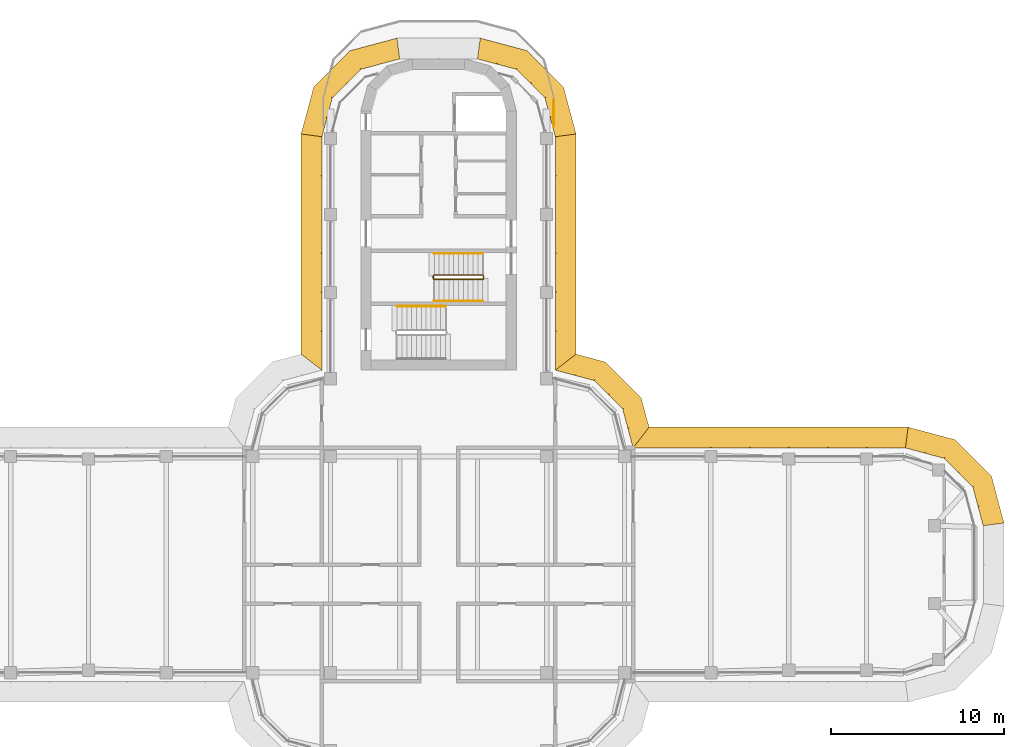
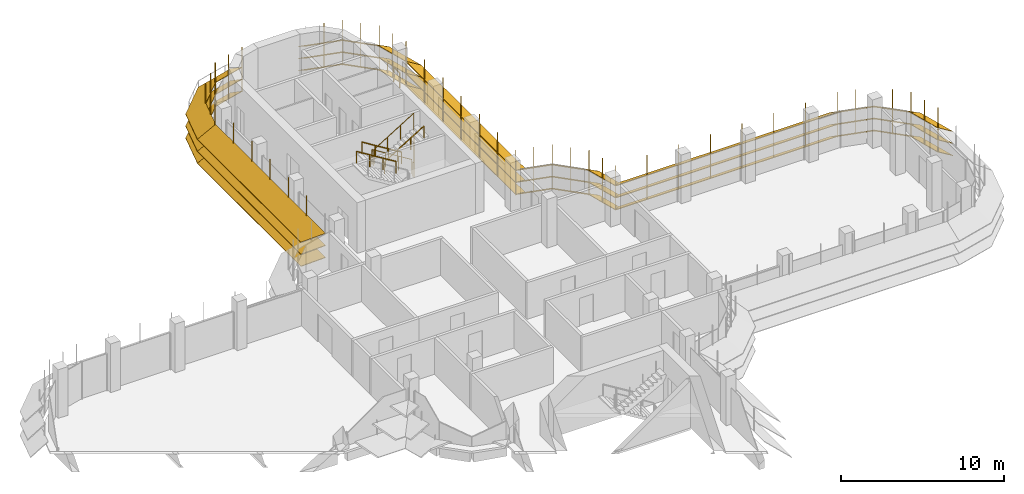
# One storey, part 18 of 19: 7 shading devices, 5 railings.
"""IFC4 building model written with IfcOpenShell, lengths in metres."""

from ifc_helpers import new_model, si_unit, direction, frame, origin, origin_2d, place, context, subcontext, project, spatial, polyline, circle, outline, extrude, faceted_brep, source, transform, mapped, material, type_object, element, save


model = new_model("IFC4")

# Units and contexts
model_context = context("Model", 3, precision=1e-05, world=origin(), true_north=direction((0.0, 1.0)))
body_context = subcontext(model_context, "Body", "Model", "MODEL_VIEW")
ifc_project = project(units=[si_unit("LENGTHUNIT", "METRE"), si_unit("AREAUNIT", "SQUARE_METRE"), si_unit("VOLUMEUNIT", "CUBIC_METRE"), si_unit("PLANEANGLEUNIT", "RADIAN"), si_unit("MASSUNIT", "GRAM", prefix="KILO")], contexts=[model_context])

# Site, building, storey
site_placement = place(None, origin())
site = spatial("IfcSite", under=ifc_project, at=site_placement, CompositionType="ELEMENT")
building_placement = place(site_placement, origin())
building = spatial("IfcBuilding", under=site, at=building_placement, Name="Zarbagh Exchange Tower", CompositionType="ELEMENT")
storey_placement = place(building_placement, frame((0.0, 0.0, 218.199951171875)))
storey = spatial("IfcBuildingStorey", under=building, at=storey_placement, Name="L53", CompositionType="ELEMENT", Elevation=218.199951171875)

# Railings
ifc_material_1 = material(Name="Stainless steel", Category="steel")
railing_type_1 = type_object("IfcRailingType", Name="Stair guard 1100 mm", PredefinedType="GUARDRAIL", material=ifc_material_1)
railing_1_placement = place(storey_placement, frame((2.550048828125, 16.75, 0.1728515625)))
element("IfcRailing", 1, at=railing_1_placement, inside=storey, type_object=railing_type_1, Name="ST1 stair guard 1", PredefinedType="GUARDRAIL", context=body_context, shape_type="SweptSolid", body=[
    extrude(circle(Radius=0.02392578125, at=origin_2d()), frame((0.0, 0.0, 1.076171875), z_axis=(-0.851089632645, 0.0, 0.525020415988), x_axis=(0.0, -1.0, 0.0)), (0.0, 0.0, 1.0), 3.2900390625),
    extrude(circle(Radius=0.02392578125, at=origin_2d()), frame((-2.800048828125, 0.0, 2.80322265625), z_axis=(-0.707106781187, -0.707106781187, 0.0), x_axis=(0.707106781187, -0.707106781187, 0.0)), (0.0, 0.0, 1.0), 0.07080078125),
    extrude(circle(Radius=0.02392578125, at=origin_2d()), frame((-2.85009765625, -0.050048828125, 2.80322265625), z_axis=(0.0, -1.0, 0.0), x_axis=(1.0, 0.0, 0.0)), (0.0, 0.0, 1.0), 0.14990234375),
    extrude(circle(Radius=0.02392578125, at=origin_2d()), frame((-2.85009765625, -0.199951171875, 2.80322265625), z_axis=(0.268277960024, -0.268277960024, 0.925231793839), x_axis=(0.707106781187, 0.707106781187, 0.0)), (0.0, 0.0, 1.0), 0.1865234375),
    extrude(circle(Radius=0.02392578125, at=origin_2d()), frame((-2.800048828125, -0.25, 2.97607421875), z_axis=(0.851089632645, 0.0, 0.525020415988), x_axis=(0.0, 1.0, 0.0)), (0.0, 0.0, 1.0), 3.2900390625),
    extrude(circle(Radius=0.02392578125, at=origin_2d()), frame((0.0, -0.25, 4.703125), z_axis=(0.013168290981, 0.013168290981, -0.999826581076), x_axis=(-0.707106781187, 0.707106781187, 0.0)), (0.0, 0.0, 1.0), 3.80078125),
    extrude(circle(Radius=0.02392578125, at=origin_2d()), frame((0.050048828125, -0.199951171875, 0.9033203125), z_axis=(0.0, 1.0, 0.0), x_axis=(-1.0, 0.0, 0.0)), (0.0, 0.0, 1.0), 0.14990234375),
    extrude(circle(Radius=0.02099609375, at=origin_2d()), origin(), (0.0, 0.0, 1.0), 1.052001953125),
    extrude(circle(Radius=0.02099609375, at=origin_2d()), frame((-0.933349609375, 0.0, 0.57568359375)), (0.0, 0.0, 1.0), 1.052001953125),
    extrude(circle(Radius=0.02099609375, at=origin_2d()), frame((-1.86669921875, 0.0, 1.151611328125)), (0.0, 0.0, 1.0), 1.052001953125),
    extrude(circle(Radius=0.02099609375, at=origin_2d()), frame((-2.800048828125, 0.0, 1.727294921875)), (0.0, 0.0, 1.0), 1.052001953125),
    extrude(circle(Radius=0.02099609375, at=origin_2d()), frame((-2.85009765625, -0.050048828125, 1.727294921875)), (0.0, 0.0, 1.0), 1.052001953125),
    extrude(circle(Radius=0.02099609375, at=origin_2d()), frame((-2.85009765625, -0.199951171875, 1.727294921875)), (0.0, 0.0, 1.0), 1.052001953125),
    extrude(circle(Radius=0.02099609375, at=origin_2d()), frame((-2.800048828125, -0.25, 1.89990234375)), (0.0, 0.0, 1.0), 1.052001953125),
    extrude(circle(Radius=0.02099609375, at=origin_2d()), frame((-1.86669921875, -0.25, 2.4755859375)), (0.0, 0.0, 1.0), 1.052001953125),
    extrude(circle(Radius=0.02099609375, at=origin_2d()), frame((-0.933349609375, -0.25, 3.051513671875)), (0.0, 0.0, 1.0), 1.052001953125),
    extrude(circle(Radius=0.02099609375, at=origin_2d()), frame((0.0, -0.25, 3.627197265625)), (0.0, 0.0, 1.0), 1.052001953125),
    extrude(circle(Radius=0.02099609375, at=origin_2d()), frame((0.012451171875, -0.237548828125, 2.67724609375)), (0.0, 0.0, 1.0), 1.052001953125),
    extrude(circle(Radius=0.02099609375, at=origin_2d()), frame((0.02490234375, -0.22509765625, 1.72705078125)), (0.0, 0.0, 1.0), 1.052001953125),
    extrude(circle(Radius=0.02099609375, at=origin_2d()), frame((0.03759765625, -0.21240234375, 0.777099609375)), (0.0, 0.0, 1.0), 1.052001953125),
    extrude(circle(Radius=0.02099609375, at=origin_2d()), frame((0.050048828125, -0.199951171875, -0.1728515625)), (0.0, 0.0, 1.0), 1.052001953125),
    extrude(circle(Radius=0.02099609375, at=origin_2d()), frame((0.050048828125, -0.050048828125, -0.1728515625)), (0.0, 0.0, 1.0), 1.052001953125),
])
railing_type_2 = type_object("IfcRailingType", Name="Stair handrail 900 mm", PredefinedType="HANDRAIL", material=ifc_material_1)
railing_2_placement = place(storey_placement, frame((2.550048828125, 18.0, 0.1728515625)))
element("IfcRailing", 2, at=railing_2_placement, inside=storey, type_object=railing_type_2, Name="ST1 stair handrail 1", PredefinedType="HANDRAIL", context=body_context, shape_type="SweptSolid", body=[
    extrude(circle(Radius=0.02392578125, at=origin_2d()), frame((0.0, 0.0, 0.8759765625), z_axis=(-0.851089632645, 0.0, 0.525020415988), x_axis=(0.0, -1.0, 0.0)), (0.0, 0.0, 1.0), 3.2900390625),
    extrude(circle(Radius=0.02099609375, at=origin_2d()), origin(), (0.0, 0.0, 1.0), 0.851806640625),
    extrude(circle(Radius=0.02099609375, at=origin_2d()), frame((-0.933349609375, 0.0, 0.57568359375)), (0.0, 0.0, 1.0), 0.851806640625),
    extrude(circle(Radius=0.02099609375, at=origin_2d()), frame((-1.86669921875, 0.0, 1.151611328125)), (0.0, 0.0, 1.0), 0.851806640625),
    extrude(circle(Radius=0.02099609375, at=origin_2d()), frame((-2.800048828125, 0.0, 1.727294921875)), (0.0, 0.0, 1.0), 0.851806640625),
])
railing_3_placement = place(storey_placement, frame((-0.25, 15.25, 2.07275390625)))
element("IfcRailing", 3, at=railing_3_placement, inside=storey, type_object=railing_type_2, Name="ST1 stair handrail 2", PredefinedType="HANDRAIL", context=body_context, shape_type="SweptSolid", body=[
    extrude(circle(Radius=0.02392578125, at=origin_2d()), frame((0.0, 0.0, 0.8759765625), z_axis=(0.851089632645, 0.0, 0.525020415988), x_axis=(0.0, 1.0, 0.0)), (0.0, 0.0, 1.0), 3.2900390625),
    extrude(circle(Radius=0.02099609375, at=origin_2d()), origin(), (0.0, 0.0, 1.0), 0.851806640625),
    extrude(circle(Radius=0.02099609375, at=origin_2d()), frame((0.933349609375, 0.0, 0.57568359375)), (0.0, 0.0, 1.0), 0.851806640625),
    extrude(circle(Radius=0.02099609375, at=origin_2d()), frame((1.86669921875, 0.0, 1.151611328125)), (0.0, 0.0, 1.0), 0.851806640625),
    extrude(circle(Radius=0.02099609375, at=origin_2d()), frame((2.800048828125, 0.0, 1.727294921875)), (0.0, 0.0, 1.0), 0.851806640625),
])
railing_4_placement = place(storey_placement, frame((0.39990234375, 14.949951171875, 2.07275390625)))
element("IfcRailing", 4, at=railing_4_placement, inside=storey, type_object=railing_type_2, Name="ST2 stair handrail 2", PredefinedType="HANDRAIL", context=body_context, shape_type="SweptSolid", body=[
    extrude(circle(Radius=0.02392578125, at=origin_2d()), frame((0.0, 0.0, 0.8759765625), z_axis=(-0.851069175582, 0.0, 0.525053576669), x_axis=(0.0, -1.0, 0.0)), (0.0, 0.0, 1.0), 3.289794921875),
    extrude(circle(Radius=0.02099609375, at=origin_2d()), origin(), (0.0, 0.0, 1.0), 0.851806640625),
    extrude(circle(Radius=0.02099609375, at=origin_2d()), frame((-0.933349609375, 0.0, 0.57568359375)), (0.0, 0.0, 1.0), 0.851806640625),
    extrude(circle(Radius=0.02099609375, at=origin_2d()), frame((-1.866455078125, 0.0, 1.151611328125)), (0.0, 0.0, 1.0), 0.851806640625),
    extrude(circle(Radius=0.02099609375, at=origin_2d()), frame((-2.7998046875, 0.0, 1.727294921875)), (0.0, 0.0, 1.0), 0.851806640625),
])
ifc_material_2 = material(Name="Stainless steel and laminated glass", Category="steel")
railing_type_3 = type_object("IfcRailingType", Name="Terrace guard, glass balustrade 1.1 m", PredefinedType="GUARDRAIL", material=ifc_material_2)
railing_5_placement = place(storey_placement, frame((6.669921875, 26.86279296875, 0.0)))
element("IfcRailing", 5, at=railing_5_placement, inside=storey, type_object=railing_type_3, Name="TG01 terrace guard", PredefinedType="GUARDRAIL", context=body_context, shape_type="SweptSolid", body=[
    extrude(circle(Radius=0.02490234375, at=origin_2d()), frame((0.0, 0.0, 1.0751953125), z_axis=(0.0, -1.0, 0.0), x_axis=(1.0, 0.0, 0.0)), (0.0, 0.0, 1.0), 1.505126953125),
    extrude(circle(Radius=0.02490234375, at=origin_2d()), origin(), (0.0, 0.0, 1.0), 1.050048828125),
    extrude(circle(Radius=0.02490234375, at=origin_2d()), frame((0.0, -0.75244140625, 0.0)), (0.0, 0.0, 1.0), 1.050048828125),
    extrude(circle(Radius=0.02490234375, at=origin_2d()), frame((0.0, -1.505126953125, 0.0)), (0.0, 0.0, 1.0), 1.050048828125),
])

# Shading devices
ifc_material_3 = material(Name="Anodised aluminium blades and brackets", Category="aluminium")
shading_device_type = type_object("IfcShadingDeviceType", Name="SUNSHADE louvre band, 33.75 degree blades", PredefinedType="JALOUSIE", material=ifc_material_3)
shared_shape_1 = source(origin(), body_context, "Body", "Brep", [
    faceted_brep([(0.0, 0.0, 0.0), (0.0, 0.0, -0.048095703125), (-0.157958984375, -1.199951171875, -0.849853515625), (-0.157958984375, -1.199951171875, -0.8017578125), (2.65087890625, -1.199951171875, -0.8017578125), (2.65087890625, -1.199951171875, -0.849853515625), (2.329345703125, 0.0, -0.048095703125), (2.329345703125, 0.0, 0.0)], [[[0, 1, 2, 3]], [[4, 5, 6, 7]], [[0, 7, 6, 1]], [[1, 6, 5, 2]], [[2, 5, 4, 3]], [[3, 4, 7, 0]]]),
])
shared_shape_2 = source(origin(), body_context, "Body", "Brep", [
    faceted_brep([(0.0, 0.0, 0.0), (0.0, 0.0, -0.048095703125), (-0.321533203125, -1.199951171875, -0.849853515625), (-0.321533203125, -1.199951171875, -0.8017578125), (2.65087890625, -1.199951171875, -0.8017578125), (2.65087890625, -1.199951171875, -0.849853515625), (2.329345703125, 0.0, -0.048095703125), (2.329345703125, 0.0, 0.0)], [[[0, 1, 2, 3]], [[4, 5, 6, 7]], [[0, 7, 6, 1]], [[1, 6, 5, 2]], [[2, 5, 4, 3]], [[3, 4, 7, 0]]]),
])
shared_shape_3 = source(origin(), body_context, "Body", "Brep", [
    faceted_brep([(0.0, 0.0, 0.0), (0.0, 0.0, -0.048095703125), (-0.321533203125, -1.199951171875, -0.849853515625), (-0.321533203125, -1.199951171875, -0.8017578125), (2.4873046875, -1.199951171875, -0.8017578125), (2.4873046875, -1.199951171875, -0.849853515625), (2.329345703125, 0.0, -0.048095703125), (2.329345703125, 0.0, 0.0)], [[[0, 1, 2, 3]], [[4, 5, 6, 7]], [[0, 7, 6, 1]], [[1, 6, 5, 2]], [[2, 5, 4, 3]], [[3, 4, 7, 0]]]),
])
shared_shape_4 = source(origin(), body_context, "Body", "SweptSolid", [
    extrude(outline(polyline([(0.0, -0.012451171875), (0.06005859375, -0.012451171875), (0.06005859375, 0.012451171875), (0.0, 0.012451171875), (0.0, -0.012451171875)])), origin(), (0.0, 0.0, 1.0), 3.358154296875),
])
placement = place(storey_placement, origin())
element("IfcShadingDevice", 6, at=placement, inside=storey, type_object=shading_device_type, Name="SS33 sunshade band", PredefinedType="JALOUSIE", context=body_context, shape_type="MappedRepresentation", body=[
    mapped(shared_shape_1, transform((31.5, 2.25, 2.300048828125), x_axis=(-0.258824779902, 0.965924289636, 0.0), y_axis=(-0.965924289636, -0.258824779902, 0.0), z_axis=(0.0, 0.0, 1.0))),
    mapped(shared_shape_1, transform((31.5, 2.25, 1.400146484375), x_axis=(-0.258824779902, 0.965924289636, 0.0), y_axis=(-0.965924289636, -0.258824779902, 0.0), z_axis=(0.0, 0.0, 1.0))),
    mapped(shared_shape_1, transform((31.5, 2.25, 0.5), x_axis=(-0.258824779902, 0.965924289636, 0.0), y_axis=(-0.965924289636, -0.258824779902, 0.0), z_axis=(0.0, 0.0, 1.0))),
    mapped(shared_shape_2, transform((30.897216796875, 4.5, 2.300048828125), x_axis=(-0.707106781187, 0.707106781187, 0.0), y_axis=(-0.707106781187, -0.707106781187, 0.0), z_axis=(0.0, 0.0, 1.0))),
    mapped(shared_shape_2, transform((30.897216796875, 4.5, 1.400146484375), x_axis=(-0.707106781187, 0.707106781187, 0.0), y_axis=(-0.707106781187, -0.707106781187, 0.0), z_axis=(0.0, 0.0, 1.0))),
    mapped(shared_shape_2, transform((30.897216796875, 4.5, 0.5), x_axis=(-0.707106781187, 0.707106781187, 0.0), y_axis=(-0.707106781187, -0.707106781187, 0.0), z_axis=(0.0, 0.0, 1.0))),
    mapped(shared_shape_3, transform((29.25, 6.147216796875, 2.300048828125), x_axis=(-0.965924289636, 0.258824779902, 0.0), y_axis=(-0.258824779902, -0.965924289636, 0.0), z_axis=(0.0, 0.0, 1.0))),
    mapped(shared_shape_3, transform((29.25, 6.147216796875, 1.400146484375), x_axis=(-0.965924289636, 0.258824779902, 0.0), y_axis=(-0.258824779902, -0.965924289636, 0.0), z_axis=(0.0, 0.0, 1.0))),
    mapped(shared_shape_3, transform((29.25, 6.147216796875, 0.5), x_axis=(-0.965924289636, 0.258824779902, 0.0), y_axis=(-0.258824779902, -0.965924289636, 0.0), z_axis=(0.0, 0.0, 1.0))),
    mapped(shared_shape_4, transform((31.5, 2.25, 0.421875), x_axis=(0.991444457092, 0.130529263012, 0.0), y_axis=(-0.130529263012, 0.991444457092, 0.0), z_axis=(0.0, 0.0, 1.0))),
    mapped(shared_shape_4, transform((31.198486328125, 3.375, 0.421875), x_axis=(0.96592421511, 0.258825058029, 0.0), y_axis=(-0.258825058029, 0.96592421511, 0.0), z_axis=(0.0, 0.0, 1.0))),
    mapped(shared_shape_4, transform((30.897216796875, 4.5, 0.421875), x_axis=(0.866023812018, 0.50000275701, 0.0), y_axis=(-0.50000275701, 0.866023812018, 0.0), z_axis=(0.0, 0.0, 1.0))),
    mapped(shared_shape_4, transform((30.073486328125, 5.323486328125, 0.421875), x_axis=(0.707106781187, 0.707106781187, 0.0), y_axis=(-0.707106781187, 0.707106781187, 0.0), z_axis=(0.0, 0.0, 1.0))),
    mapped(shared_shape_4, transform((29.25, 6.147216796875, 0.421875), x_axis=(0.50000275701, 0.866023812018, 0.0), y_axis=(-0.866023812018, 0.50000275701, 0.0), z_axis=(0.0, 0.0, 1.0))),
    mapped(shared_shape_4, transform((28.125, 6.448486328125, 0.421875), x_axis=(0.258825058029, 0.96592421511, 0.0), y_axis=(-0.96592421511, 0.258825058029, 0.0), z_axis=(0.0, 0.0, 1.0))),
])
element("IfcShadingDevice", 7, at=placement, inside=storey, type_object=shading_device_type, Name="SS46 sunshade band", PredefinedType="JALOUSIE", context=body_context, shape_type="MappedRepresentation", body=[
    mapped(shared_shape_1, transform((6.75, 24.75, 2.300048828125), x_axis=(-0.258824779902, 0.965924289636, 0.0), y_axis=(-0.965924289636, -0.258824779902, 0.0), z_axis=(0.0, 0.0, 1.0))),
    mapped(shared_shape_1, transform((6.75, 24.75, 1.400146484375), x_axis=(-0.258824779902, 0.965924289636, 0.0), y_axis=(-0.965924289636, -0.258824779902, 0.0), z_axis=(0.0, 0.0, 1.0))),
    mapped(shared_shape_1, transform((6.75, 24.75, 0.5), x_axis=(-0.258824779902, 0.965924289636, 0.0), y_axis=(-0.965924289636, -0.258824779902, 0.0), z_axis=(0.0, 0.0, 1.0))),
    mapped(shared_shape_2, transform((6.147216796875, 27.0, 2.300048828125), x_axis=(-0.707106781187, 0.707106781187, 0.0), y_axis=(-0.707106781187, -0.707106781187, 0.0), z_axis=(0.0, 0.0, 1.0))),
    mapped(shared_shape_2, transform((6.147216796875, 27.0, 1.400146484375), x_axis=(-0.707106781187, 0.707106781187, 0.0), y_axis=(-0.707106781187, -0.707106781187, 0.0), z_axis=(0.0, 0.0, 1.0))),
    mapped(shared_shape_2, transform((6.147216796875, 27.0, 0.5), x_axis=(-0.707106781187, 0.707106781187, 0.0), y_axis=(-0.707106781187, -0.707106781187, 0.0), z_axis=(0.0, 0.0, 1.0))),
    mapped(shared_shape_3, transform((4.5, 28.647216796875, 2.300048828125), x_axis=(-0.965924289636, 0.258824779902, 0.0), y_axis=(-0.258824779902, -0.965924289636, 0.0), z_axis=(0.0, 0.0, 1.0))),
    mapped(shared_shape_3, transform((4.5, 28.647216796875, 1.400146484375), x_axis=(-0.965924289636, 0.258824779902, 0.0), y_axis=(-0.258824779902, -0.965924289636, 0.0), z_axis=(0.0, 0.0, 1.0))),
    mapped(shared_shape_3, transform((4.5, 28.647216796875, 0.5), x_axis=(-0.965924289636, 0.258824779902, 0.0), y_axis=(-0.258824779902, -0.965924289636, 0.0), z_axis=(0.0, 0.0, 1.0))),
    mapped(shared_shape_4, transform((6.75, 24.75, 0.421875), x_axis=(0.991444457092, 0.130529263012, 0.0), y_axis=(-0.130529263012, 0.991444457092, 0.0), z_axis=(0.0, 0.0, 1.0))),
    mapped(shared_shape_4, transform((6.448486328125, 25.875, 0.421875), x_axis=(0.96592421511, 0.258825058029, 0.0), y_axis=(-0.258825058029, 0.96592421511, 0.0), z_axis=(0.0, 0.0, 1.0))),
    mapped(shared_shape_4, transform((6.147216796875, 27.0, 0.421875), x_axis=(0.866023812018, 0.50000275701, 0.0), y_axis=(-0.50000275701, 0.866023812018, 0.0), z_axis=(0.0, 0.0, 1.0))),
    mapped(shared_shape_4, transform((5.323486328125, 27.823486328125, 0.421875), x_axis=(0.707106781187, 0.707106781187, 0.0), y_axis=(-0.707106781187, 0.707106781187, 0.0), z_axis=(0.0, 0.0, 1.0))),
    mapped(shared_shape_4, transform((4.5, 28.647216796875, 0.421875), x_axis=(0.50000275701, 0.866023812018, 0.0), y_axis=(-0.866023812018, 0.50000275701, 0.0), z_axis=(0.0, 0.0, 1.0))),
    mapped(shared_shape_4, transform((3.375, 28.948486328125, 0.421875), x_axis=(0.258825058029, 0.96592421511, 0.0), y_axis=(-0.96592421511, 0.258825058029, 0.0), z_axis=(0.0, 0.0, 1.0))),
])
element("IfcShadingDevice", 8, at=placement, inside=storey, type_object=shading_device_type, Name="SS48 sunshade band", PredefinedType="JALOUSIE", context=body_context, shape_type="MappedRepresentation", body=[
    mapped(shared_shape_1, transform((-2.25, 29.25, 2.300048828125), x_axis=(-0.965924289636, -0.258824779902, 0.0), y_axis=(0.258824779902, -0.965924289636, 0.0), z_axis=(0.0, 0.0, 1.0))),
    mapped(shared_shape_1, transform((-2.25, 29.25, 1.400146484375), x_axis=(-0.965924289636, -0.258824779902, 0.0), y_axis=(0.258824779902, -0.965924289636, 0.0), z_axis=(0.0, 0.0, 1.0))),
    mapped(shared_shape_1, transform((-2.25, 29.25, 0.5), x_axis=(-0.965924289636, -0.258824779902, 0.0), y_axis=(0.258824779902, -0.965924289636, 0.0), z_axis=(0.0, 0.0, 1.0))),
    mapped(shared_shape_2, transform((-4.5, 28.647216796875, 2.300048828125), x_axis=(-0.707106781187, -0.707106781187, 0.0), y_axis=(0.707106781187, -0.707106781187, 0.0), z_axis=(0.0, 0.0, 1.0))),
    mapped(shared_shape_2, transform((-4.5, 28.647216796875, 1.400146484375), x_axis=(-0.707106781187, -0.707106781187, 0.0), y_axis=(0.707106781187, -0.707106781187, 0.0), z_axis=(0.0, 0.0, 1.0))),
    mapped(shared_shape_2, transform((-4.5, 28.647216796875, 0.5), x_axis=(-0.707106781187, -0.707106781187, 0.0), y_axis=(0.707106781187, -0.707106781187, 0.0), z_axis=(0.0, 0.0, 1.0))),
    mapped(shared_shape_3, transform((-6.147216796875, 27.0, 2.300048828125), x_axis=(-0.258824779902, -0.965924289636, 0.0), y_axis=(0.965924289636, -0.258824779902, 0.0), z_axis=(0.0, 0.0, 1.0))),
    mapped(shared_shape_3, transform((-6.147216796875, 27.0, 1.400146484375), x_axis=(-0.258824779902, -0.965924289636, 0.0), y_axis=(0.965924289636, -0.258824779902, 0.0), z_axis=(0.0, 0.0, 1.0))),
    mapped(shared_shape_3, transform((-6.147216796875, 27.0, 0.5), x_axis=(-0.258824779902, -0.965924289636, 0.0), y_axis=(0.965924289636, -0.258824779902, 0.0), z_axis=(0.0, 0.0, 1.0))),
    mapped(shared_shape_4, transform((-2.25, 29.25, 0.421875), x_axis=(-0.130529263012, 0.991444457092, 0.0), y_axis=(-0.991444457092, -0.130529263012, 0.0), z_axis=(0.0, 0.0, 1.0))),
    mapped(shared_shape_4, transform((-3.375, 28.948486328125, 0.421875), x_axis=(-0.258825058029, 0.96592421511, 0.0), y_axis=(-0.96592421511, -0.258825058029, 0.0), z_axis=(0.0, 0.0, 1.0))),
    mapped(shared_shape_4, transform((-4.5, 28.647216796875, 0.421875), x_axis=(-0.50000275701, 0.866023812018, 0.0), y_axis=(-0.866023812018, -0.50000275701, 0.0), z_axis=(0.0, 0.0, 1.0))),
    mapped(shared_shape_4, transform((-5.323486328125, 27.823486328125, 0.421875), x_axis=(-0.707106781187, 0.707106781187, 0.0), y_axis=(-0.707106781187, -0.707106781187, 0.0), z_axis=(0.0, 0.0, 1.0))),
    mapped(shared_shape_4, transform((-6.147216796875, 27.0, 0.421875), x_axis=(-0.866023812018, 0.50000275701, 0.0), y_axis=(-0.50000275701, -0.866023812018, 0.0), z_axis=(0.0, 0.0, 1.0))),
    mapped(shared_shape_4, transform((-6.448486328125, 25.875, 0.421875), x_axis=(-0.96592421511, 0.258825058029, 0.0), y_axis=(-0.258825058029, -0.96592421511, 0.0), z_axis=(0.0, 0.0, 1.0))),
])
shared_shape_5 = source(origin(), body_context, "Body", "Brep", [
    faceted_brep([(0.0, 0.0, 0.0), (0.0, 0.0, -0.048095703125), (0.9208984375, -1.199951171875, -0.849853515625), (0.9208984375, -1.199951171875, -0.8017578125), (2.65087890625, -1.199951171875, -0.8017578125), (2.65087890625, -1.199951171875, -0.849853515625), (2.329345703125, 0.0, -0.048095703125), (2.329345703125, 0.0, 0.0)], [[[0, 1, 2, 3]], [[4, 5, 6, 7]], [[0, 7, 6, 1]], [[1, 6, 5, 2]], [[2, 5, 4, 3]], [[3, 4, 7, 0]]]),
])
shared_shape_6 = source(origin(), body_context, "Body", "Brep", [
    faceted_brep([(0.0, 0.0, 0.0), (0.0, 0.0, -0.048095703125), (-0.321533203125, -1.199951171875, -0.849853515625), (-0.321533203125, -1.199951171875, -0.8017578125), (1.40869140625, -1.199951171875, -0.8017578125), (1.40869140625, -1.199951171875, -0.849853515625), (2.329345703125, 0.0, -0.048095703125), (2.329345703125, 0.0, 0.0)], [[[0, 1, 2, 3]], [[4, 5, 6, 7]], [[0, 7, 6, 1]], [[1, 6, 5, 2]], [[2, 5, 4, 3]], [[3, 4, 7, 0]]]),
])
element("IfcShadingDevice", 9, at=placement, inside=storey, type_object=shading_device_type, Name="SS09 sunshade band", PredefinedType="JALOUSIE", context=body_context, shape_type="MappedRepresentation", body=[
    mapped(shared_shape_5, transform((11.25, 6.75, 2.300048828125), x_axis=(-0.258824779902, 0.965924289636, 0.0), y_axis=(-0.965924289636, -0.258824779902, 0.0), z_axis=(0.0, 0.0, 1.0))),
    mapped(shared_shape_5, transform((11.25, 6.75, 1.400146484375), x_axis=(-0.258824779902, 0.965924289636, 0.0), y_axis=(-0.965924289636, -0.258824779902, 0.0), z_axis=(0.0, 0.0, 1.0))),
    mapped(shared_shape_5, transform((11.25, 6.75, 0.5), x_axis=(-0.258824779902, 0.965924289636, 0.0), y_axis=(-0.965924289636, -0.258824779902, 0.0), z_axis=(0.0, 0.0, 1.0))),
    mapped(shared_shape_2, transform((10.647216796875, 9.0, 2.300048828125), x_axis=(-0.707106781187, 0.707106781187, 0.0), y_axis=(-0.707106781187, -0.707106781187, 0.0), z_axis=(0.0, 0.0, 1.0))),
    mapped(shared_shape_2, transform((10.647216796875, 9.0, 1.400146484375), x_axis=(-0.707106781187, 0.707106781187, 0.0), y_axis=(-0.707106781187, -0.707106781187, 0.0), z_axis=(0.0, 0.0, 1.0))),
    mapped(shared_shape_2, transform((10.647216796875, 9.0, 0.5), x_axis=(-0.707106781187, 0.707106781187, 0.0), y_axis=(-0.707106781187, -0.707106781187, 0.0), z_axis=(0.0, 0.0, 1.0))),
    mapped(shared_shape_6, transform((9.0, 10.647216796875, 2.300048828125), x_axis=(-0.965924289636, 0.258824779902, 0.0), y_axis=(-0.258824779902, -0.965924289636, 0.0), z_axis=(0.0, 0.0, 1.0))),
    mapped(shared_shape_6, transform((9.0, 10.647216796875, 1.400146484375), x_axis=(-0.965924289636, 0.258824779902, 0.0), y_axis=(-0.258824779902, -0.965924289636, 0.0), z_axis=(0.0, 0.0, 1.0))),
    mapped(shared_shape_6, transform((9.0, 10.647216796875, 0.5), x_axis=(-0.965924289636, 0.258824779902, 0.0), y_axis=(-0.258824779902, -0.965924289636, 0.0), z_axis=(0.0, 0.0, 1.0))),
    mapped(shared_shape_4, transform((11.25, 6.75, 0.421875), x_axis=(0.608758892, 0.793355287, 0.0), y_axis=(-0.793355287, 0.608758892, 0.0), z_axis=(0.0, 0.0, 1.0))),
    mapped(shared_shape_4, transform((10.948486328125, 7.875, 0.421875), x_axis=(0.96592421511, 0.258825058029, 0.0), y_axis=(-0.258825058029, 0.96592421511, 0.0), z_axis=(0.0, 0.0, 1.0))),
    mapped(shared_shape_4, transform((10.647216796875, 9.0, 0.421875), x_axis=(0.866023812018, 0.50000275701, 0.0), y_axis=(-0.50000275701, 0.866023812018, 0.0), z_axis=(0.0, 0.0, 1.0))),
    mapped(shared_shape_4, transform((9.823486328125, 9.823486328125, 0.421875), x_axis=(0.707106781187, 0.707106781187, 0.0), y_axis=(-0.707106781187, 0.707106781187, 0.0), z_axis=(0.0, 0.0, 1.0))),
    mapped(shared_shape_4, transform((9.0, 10.647216796875, 0.421875), x_axis=(0.50000275701, 0.866023812018, 0.0), y_axis=(-0.866023812018, 0.50000275701, 0.0), z_axis=(0.0, 0.0, 1.0))),
    mapped(shared_shape_4, transform((7.875, 10.948486328125, 0.421875), x_axis=(0.258825058029, 0.96592421511, 0.0), y_axis=(-0.96592421511, 0.258825058029, 0.0), z_axis=(0.0, 0.0, 1.0))),
])
shared_shape_7 = source(origin(), body_context, "Body", "Brep", [
    faceted_brep([(0.0, 0.0, 0.0), (0.0, 0.0, -0.048095703125), (-0.157958984375, -1.199951171875, -0.849853515625), (-0.157958984375, -1.199951171875, -0.8017578125), (14.8291015625, -1.199951171875, -0.8017578125), (14.8291015625, -1.199951171875, -0.849853515625), (15.75, 0.0, -0.048095703125), (15.75, 0.0, 0.0)], [[[0, 1, 2, 3]], [[4, 5, 6, 7]], [[0, 7, 6, 1]], [[1, 6, 5, 2]], [[2, 5, 4, 3]], [[3, 4, 7, 0]]]),
])
element("IfcShadingDevice", 10, at=placement, inside=storey, type_object=shading_device_type, Name="SS34 sunshade band", PredefinedType="JALOUSIE", context=body_context, shape_type="MappedRepresentation", body=[
    mapped(shared_shape_7, transform((27.0, 6.75, 2.300048828125), x_axis=(-1.0, 0.0, 0.0), y_axis=(0.0, -1.0, 0.0), z_axis=(0.0, 0.0, 1.0))),
    mapped(shared_shape_7, transform((27.0, 6.75, 1.400146484375), x_axis=(-1.0, 0.0, 0.0), y_axis=(0.0, -1.0, 0.0), z_axis=(0.0, 0.0, 1.0))),
    mapped(shared_shape_7, transform((27.0, 6.75, 0.5), x_axis=(-1.0, 0.0, 0.0), y_axis=(0.0, -1.0, 0.0), z_axis=(0.0, 0.0, 1.0))),
    mapped(shared_shape_4, transform((27.0, 6.75, 0.421875), x_axis=(0.130529263012, 0.991444457092, 0.0), y_axis=(-0.991444457092, 0.130529263012, 0.0), z_axis=(0.0, 0.0, 1.0))),
    mapped(shared_shape_4, transform((24.75, 6.75, 0.421875), x_axis=(0.0, 1.0, 0.0), y_axis=(-1.0, 0.0, 0.0), z_axis=(0.0, 0.0, 1.0))),
    mapped(shared_shape_4, transform((22.5, 6.75, 0.421875), x_axis=(0.0, 1.0, 0.0), y_axis=(-1.0, 0.0, 0.0), z_axis=(0.0, 0.0, 1.0))),
    mapped(shared_shape_4, transform((20.25, 6.75, 0.421875), x_axis=(0.0, 1.0, 0.0), y_axis=(-1.0, 0.0, 0.0), z_axis=(0.0, 0.0, 1.0))),
    mapped(shared_shape_4, transform((18.0, 6.75, 0.421875), x_axis=(0.0, 1.0, 0.0), y_axis=(-1.0, 0.0, 0.0), z_axis=(0.0, 0.0, 1.0))),
    mapped(shared_shape_4, transform((15.75, 6.75, 0.421875), x_axis=(0.0, 1.0, 0.0), y_axis=(-1.0, 0.0, 0.0), z_axis=(0.0, 0.0, 1.0))),
    mapped(shared_shape_4, transform((13.5, 6.75, 0.421875), x_axis=(0.0, 1.0, 0.0), y_axis=(-1.0, 0.0, 0.0), z_axis=(0.0, 0.0, 1.0))),
])
shared_shape_8 = source(origin(), body_context, "Body", "Brep", [
    faceted_brep([(0.0, 0.0, 0.0), (0.0, 0.0, -0.048095703125), (0.9208984375, -1.199951171875, -0.849853515625), (0.9208984375, -1.199951171875, -0.8017578125), (13.657958984375, -1.199951171875, -0.8017578125), (13.657958984375, -1.199951171875, -0.849853515625), (13.5, 0.0, -0.048095703125), (13.5, 0.0, 0.0)], [[[0, 1, 2, 3]], [[4, 5, 6, 7]], [[0, 7, 6, 1]], [[1, 6, 5, 2]], [[2, 5, 4, 3]], [[3, 4, 7, 0]]]),
])
element("IfcShadingDevice", 11, at=placement, inside=storey, type_object=shading_device_type, Name="SS45 sunshade band", PredefinedType="JALOUSIE", context=body_context, shape_type="MappedRepresentation", body=[
    mapped(shared_shape_8, transform((6.75, 11.25, 2.300048828125), x_axis=(0.0, 1.0, 0.0), y_axis=(-1.0, 0.0, 0.0), z_axis=(0.0, 0.0, 1.0))),
    mapped(shared_shape_8, transform((6.75, 11.25, 1.400146484375), x_axis=(0.0, 1.0, 0.0), y_axis=(-1.0, 0.0, 0.0), z_axis=(0.0, 0.0, 1.0))),
    mapped(shared_shape_8, transform((6.75, 11.25, 0.5), x_axis=(0.0, 1.0, 0.0), y_axis=(-1.0, 0.0, 0.0), z_axis=(0.0, 0.0, 1.0))),
    mapped(shared_shape_4, transform((6.75, 11.25, 0.421875), x_axis=(0.793355287, 0.608758892, 0.0), y_axis=(-0.608758892, 0.793355287, 0.0), z_axis=(0.0, 0.0, 1.0))),
    mapped(shared_shape_4, transform((6.75, 13.5, 0.421875), x_axis=(1.0, 0.0, 0.0), y_axis=(0.0, 1.0, 0.0), z_axis=(0.0, 0.0, 1.0))),
    mapped(shared_shape_4, transform((6.75, 15.75, 0.421875), x_axis=(1.0, 0.0, 0.0), y_axis=(0.0, 1.0, 0.0), z_axis=(0.0, 0.0, 1.0))),
    mapped(shared_shape_4, transform((6.75, 18.0, 0.421875), x_axis=(1.0, 0.0, 0.0), y_axis=(0.0, 1.0, 0.0), z_axis=(0.0, 0.0, 1.0))),
    mapped(shared_shape_4, transform((6.75, 20.25, 0.421875), x_axis=(1.0, 0.0, 0.0), y_axis=(0.0, 1.0, 0.0), z_axis=(0.0, 0.0, 1.0))),
    mapped(shared_shape_4, transform((6.75, 22.5, 0.421875), x_axis=(1.0, 0.0, 0.0), y_axis=(0.0, 1.0, 0.0), z_axis=(0.0, 0.0, 1.0))),
])
shared_shape_9 = source(origin(), body_context, "Body", "Brep", [
    faceted_brep([(0.0, 0.0, 0.0), (0.0, 0.0, -0.048095703125), (-0.157958984375, -1.199951171875, -0.849853515625), (-0.157958984375, -1.199951171875, -0.8017578125), (12.5791015625, -1.199951171875, -0.8017578125), (12.5791015625, -1.199951171875, -0.849853515625), (13.5, 0.0, -0.048095703125), (13.5, 0.0, 0.0)], [[[0, 1, 2, 3]], [[4, 5, 6, 7]], [[0, 7, 6, 1]], [[1, 6, 5, 2]], [[2, 5, 4, 3]], [[3, 4, 7, 0]]]),
])
element("IfcShadingDevice", 12, at=placement, inside=storey, type_object=shading_device_type, Name="SS49 sunshade band", PredefinedType="JALOUSIE", context=body_context, shape_type="MappedRepresentation", body=[
    mapped(shared_shape_9, transform((-6.75, 24.75, 2.300048828125), x_axis=(0.0, -1.0, 0.0), y_axis=(1.0, 0.0, 0.0), z_axis=(0.0, 0.0, 1.0))),
    mapped(shared_shape_9, transform((-6.75, 24.75, 1.400146484375), x_axis=(0.0, -1.0, 0.0), y_axis=(1.0, 0.0, 0.0), z_axis=(0.0, 0.0, 1.0))),
    mapped(shared_shape_9, transform((-6.75, 24.75, 0.5), x_axis=(0.0, -1.0, 0.0), y_axis=(1.0, 0.0, 0.0), z_axis=(0.0, 0.0, 1.0))),
    mapped(shared_shape_4, transform((-6.75, 24.75, 0.421875), x_axis=(-0.991444457092, 0.130529263012, 0.0), y_axis=(-0.130529263012, -0.991444457092, 0.0), z_axis=(0.0, 0.0, 1.0))),
    mapped(shared_shape_4, transform((-6.75, 22.5, 0.421875), x_axis=(-1.0, 0.0, 0.0), y_axis=(0.0, -1.0, 0.0), z_axis=(0.0, 0.0, 1.0))),
    mapped(shared_shape_4, transform((-6.75, 20.25, 0.421875), x_axis=(-1.0, 0.0, 0.0), y_axis=(0.0, -1.0, 0.0), z_axis=(0.0, 0.0, 1.0))),
    mapped(shared_shape_4, transform((-6.75, 18.0, 0.421875), x_axis=(-1.0, 0.0, 0.0), y_axis=(0.0, -1.0, 0.0), z_axis=(0.0, 0.0, 1.0))),
    mapped(shared_shape_4, transform((-6.75, 15.75, 0.421875), x_axis=(-1.0, 0.0, 0.0), y_axis=(0.0, -1.0, 0.0), z_axis=(0.0, 0.0, 1.0))),
    mapped(shared_shape_4, transform((-6.75, 13.5, 0.421875), x_axis=(-1.0, 0.0, 0.0), y_axis=(0.0, -1.0, 0.0), z_axis=(0.0, 0.0, 1.0))),
])

save(model, "model.ifc")
